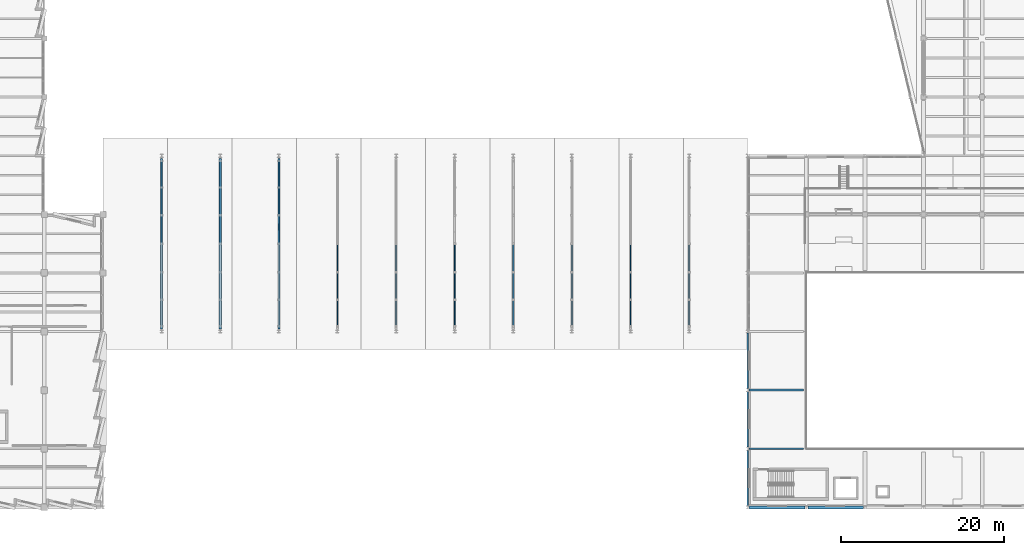
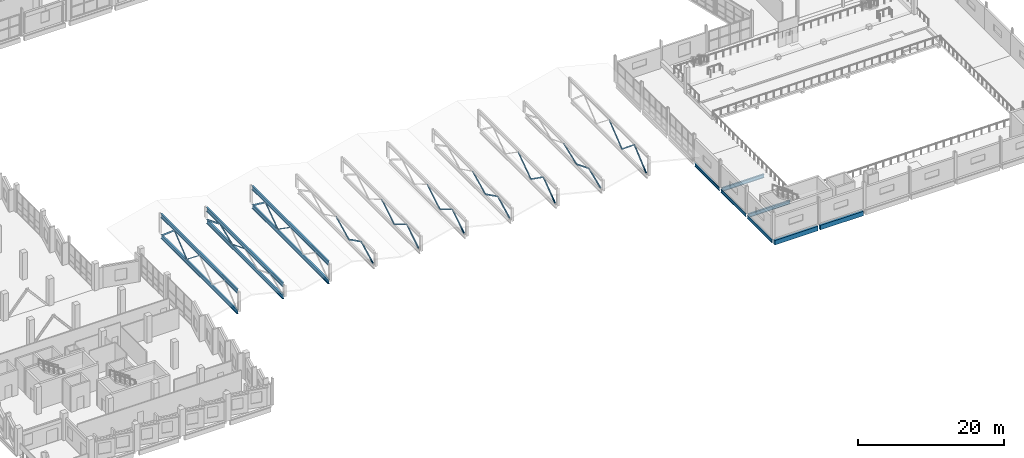
# One storey, part 36 of 123: 30 members, 13 beams.
"""IFC4 building model written with IfcOpenShell, lengths in metres."""

from ifc_helpers import new_model, si_unit, direction, frame, origin, origin_2d, place, context, subcontext, project, spatial, rectangle, hollow_rectangle, i_section, extrude, material, material_profile, profile_set, type_object, element, save


model = new_model("IFC4")

# Units and contexts
model_context = context("Model", 3, precision=1e-05, world=origin(), true_north=direction((0.0, 1.0)))
body_context = subcontext(model_context, "Body", "Model", "MODEL_VIEW")
ifc_project = project(units=[si_unit("LENGTHUNIT", "METRE"), si_unit("AREAUNIT", "SQUARE_METRE"), si_unit("VOLUMEUNIT", "CUBIC_METRE"), si_unit("PLANEANGLEUNIT", "RADIAN"), si_unit("MASSUNIT", "GRAM", prefix="KILO")], contexts=[model_context])

# Site, building, storey
site_placement = place(None, origin())
site = spatial("IfcSite", under=ifc_project, at=site_placement, CompositionType="ELEMENT")
building_placement = place(site_placement, origin())
building = spatial("IfcBuilding", under=site, at=building_placement, Name="Kalmorath City Hall", CompositionType="ELEMENT")
storey_placement = place(building_placement, frame((0.0, 0.0, 10.199951171875)))
storey = spatial("IfcBuildingStorey", under=building, at=storey_placement, Name="L02", CompositionType="ELEMENT", Elevation=10.199951171875)

# Beams
ifc_material_1 = material(Name="Precast concrete C40/50", Category="concrete")
ifc_material_profile_1 = material_profile(ifc_material_1, rectangle(XDim=0.35009765625, YDim=0.75, at=origin_2d()), Name="PC-SP-350X750")
ifc_profile_set_1 = profile_set([ifc_material_profile_1], Name="Precast concrete C40/50")
beam_type_1 = type_object("IfcBeamType", Name="Precast spandrel lintel 350x750", PredefinedType="LINTEL", material=ifc_profile_set_1)
beam_1_placement = place(storey_placement, frame((115.386962890625, 0.0, -0.658935546875), z_axis=(1.0, 0.0, 0.0), x_axis=(0.0, 1.0, 0.0)))
element("IfcBeam", 1, at=beam_1_placement, inside=storey, type_object=beam_type_1, Name="L02 girder PSB1 X17-18/1", PredefinedType="LINTEL", context=body_context, shape_type="SweptSolid", body=[
    extrude(rectangle(XDim=0.35009765625, YDim=0.75, at=origin_2d()), origin(), (0.0, 0.0, 1.0), 6.825927734375),
])
beam_2_placement = place(storey_placement, frame((122.5869140625, 0.0, -0.658935546875), z_axis=(1.0, 0.0, 0.0), x_axis=(0.0, 1.0, 0.0)))
element("IfcBeam", 2, at=beam_2_placement, inside=storey, type_object=beam_type_1, Name="L02 girder PSB1 X18-19/1", PredefinedType="LINTEL", context=body_context, shape_type="SweptSolid", body=[
    extrude(rectangle(XDim=0.35009765625, YDim=0.75, at=origin_2d()), origin(), (0.0, 0.0, 1.0), 6.826171875),
])
ifc_material_2 = material(Name="Steel ASTM A992 Grade 50", Category="steel")
ifc_material_profile_2 = material_profile(ifc_material_2, i_section(OverallWidth=0.22900390625, OverallDepth=0.612060546875, WebThickness=0.011962890625, FlangeThickness=0.01953125, FilletRadius=0.01611328125, at=origin_2d()), Name="W24X84")
ifc_profile_set_2 = profile_set([ifc_material_profile_2], Name="Steel ASTM A992 Grade 50")
beam_type_2 = type_object("IfcBeamType", Name="Steel floor girder W24X84", PredefinedType="BEAM", material=ifc_profile_set_2)
for number, where, z_axis, x_axis, name in (
    (3, (115.386962890625, 7.199951171875, -0.58984375), (1.0, 0.0, 0.0), (0.0, 1.0, 0.0), "L02 girder SG8 X17-18/2"),
    (4, (115.386962890625, 14.39990234375, -0.58984375), (1.0, 0.0, 0.0), (0.0, 1.0, 0.0), "L02 girder SG8 X17-18/3"),
):
    element("IfcBeam", number, at=place(storey_placement, frame(where, z_axis=z_axis, x_axis=x_axis)), inside=storey, type_object=beam_type_2, Name=name, PredefinedType="BEAM", context=body_context, shape_type="SweptSolid", body=[
        extrude(i_section(OverallWidth=0.22900390625, OverallDepth=0.612060546875, WebThickness=0.011962890625, FlangeThickness=0.01953125, FilletRadius=0.01611328125, at=origin_2d()), origin(), (0.0, 0.0, 1.0), 6.68798828125),
    ])
ifc_material_3 = material(Name="Steel ASTM A992 Grade 50", Category="steel")
ifc_material_profile_3 = material_profile(ifc_material_3, i_section(OverallWidth=0.25390625, OverallDepth=0.68408203125, WebThickness=0.012451171875, FlangeThickness=0.01904296875, FilletRadius=0.01904296875, at=origin_2d()), Name="W27X94")
ifc_profile_set_3 = profile_set([ifc_material_profile_3], Name="Steel ASTM A992 Grade 50")
beam_type_3 = type_object("IfcBeamType", Name="Steel folded truss tie girder W27X94", PredefinedType="BEAM", material=ifc_profile_set_3)
for number, where, z_axis, x_axis, name in (
    (5, (43.199951171875, 21.925048828125, -0.349853515625), (0.0, 1.0, 0.0), (-1.0, 0.0, 0.0), "Public Hall truss bottom tie SG6-1"),
    (6, (50.39990234375, 21.925048828125, -0.349853515625), (0.0, 1.0, 0.0), (-1.0, 0.0, 0.0), "Public Hall truss bottom tie SG6-2"),
    (7, (57.60009765625, 21.925048828125, -0.349853515625), (0.0, 1.0, 0.0), (-1.0, 0.0, 0.0), "Public Hall truss bottom tie SG6-3"),
):
    element("IfcBeam", number, at=place(storey_placement, frame(where, z_axis=z_axis, x_axis=x_axis)), inside=storey, type_object=beam_type_3, Name=name, PredefinedType="BEAM", context=body_context, shape_type="SweptSolid", body=[
        extrude(i_section(OverallWidth=0.25390625, OverallDepth=0.68408203125, WebThickness=0.012451171875, FlangeThickness=0.01904296875, FilletRadius=0.01904296875, at=origin_2d()), origin(), (0.0, 0.0, 1.0), 20.949951171875),
    ])
ifc_material_4 = material(Name="Steel ASTM A992 Grade 50", Category="steel")
ifc_material_profile_4 = material_profile(ifc_material_4, i_section(OverallWidth=0.256103515625, OverallDepth=0.693115234375, WebThickness=0.014404296875, FlangeThickness=0.023681640625, FilletRadius=0.01904296875, at=origin_2d()), Name="W27X114")
ifc_profile_set_4 = profile_set([ifc_material_profile_4], Name="Steel ASTM A992 Grade 50")
beam_type_4 = type_object("IfcBeamType", Name="Steel folded truss top chord W27X114", PredefinedType="BEAM", material=ifc_profile_set_4)
for number, where, z_axis, x_axis, name in (
    (8, (43.199951171875, 21.925048828125, 3.1201171875), (0.0, 1.0, 0.0), (-1.0, 0.0, 0.0), "Public Hall truss top chord SG5-1"),
    (9, (50.39990234375, 21.925048828125, 1.679931640625), (0.0, 1.0, 0.0), (-1.0, 0.0, 0.0), "Public Hall truss top chord SG5-2"),
    (10, (57.60009765625, 21.925048828125, 2.760009765625), (0.0, 1.0, 0.0), (-1.0, 0.0, 0.0), "Public Hall truss top chord SG5-3"),
):
    element("IfcBeam", number, at=place(storey_placement, frame(where, z_axis=z_axis, x_axis=x_axis)), inside=storey, type_object=beam_type_4, Name=name, PredefinedType="BEAM", context=body_context, shape_type="SweptSolid", body=[
        extrude(i_section(OverallWidth=0.256103515625, OverallDepth=0.693115234375, WebThickness=0.014404296875, FlangeThickness=0.023681640625, FilletRadius=0.01904296875, at=origin_2d()), origin(), (0.0, 0.0, 1.0), 20.949951171875),
    ])
ifc_material_5 = material(Name="Steel ASTM A992 Grade 50", Category="steel")
ifc_material_profile_5 = material_profile(ifc_material_5, i_section(OverallWidth=0.1650390625, OverallDepth=0.52490234375, WebThickness=0.0087890625, FlangeThickness=0.011474609375, FilletRadius=0.014892578125, at=origin_2d()), Name="W21X44")
ifc_profile_set_5 = profile_set([ifc_material_profile_5], Name="Steel ASTM A992 Grade 50")
beam_type_5 = type_object("IfcBeamType", Name="Steel spandrel beam W21X44", PredefinedType="SPANDREL", material=ifc_profile_set_5)
beam_3_placement = place(storey_placement, frame((115.199951171875, 0.18603515625, -0.54638671875), z_axis=(0.0, 1.0, 0.0), x_axis=(-1.0, 0.0, 0.0)))
element("IfcBeam", 11, at=beam_3_placement, inside=storey, type_object=beam_type_5, Name="L02 girder SB4 Y17/1-2", PredefinedType="SPANDREL", context=body_context, shape_type="SweptSolid", body=[
    extrude(i_section(OverallWidth=0.1650390625, OverallDepth=0.52490234375, WebThickness=0.0087890625, FlangeThickness=0.011474609375, FilletRadius=0.014892578125, at=origin_2d()), origin(), (0.0, 0.0, 1.0), 6.827880859375),
])
for number, where, z_axis, x_axis, name in (
    (12, (115.199951171875, 7.385986328125, -0.54638671875), (0.0, 1.0, 0.0), (-1.0, 0.0, 0.0), "L02 girder SB4 Y17/2-3"),
    (13, (115.199951171875, 14.5859375, -0.54638671875), (0.0, 1.0, 0.0), (-1.0, 0.0, 0.0), "L02 girder SB4 Y17/3-4"),
):
    element("IfcBeam", number, at=place(storey_placement, frame(where, z_axis=z_axis, x_axis=x_axis)), inside=storey, type_object=beam_type_5, Name=name, PredefinedType="SPANDREL", context=body_context, shape_type="SweptSolid", body=[
        extrude(i_section(OverallWidth=0.1650390625, OverallDepth=0.52490234375, WebThickness=0.0087890625, FlangeThickness=0.011474609375, FilletRadius=0.014892578125, at=origin_2d()), origin(), (0.0, 0.0, 1.0), 6.828125),
    ])

# Members
ifc_material_6 = material(Name="Steel ASTM A500 Grade C", Category="steel")
ifc_material_profile_6 = material_profile(ifc_material_6, hollow_rectangle(XDim=0.10205078125, YDim=0.152099609375, WallThickness=0.005859375, InnerFilletRadius=0.005859375, OuterFilletRadius=0.01171875, at=origin_2d()), Name="HSS152X102X6.4")
ifc_profile_set_6 = profile_set([ifc_material_profile_6], Name="Steel ASTM A500 Grade C")
member_type_1 = type_object("IfcMemberType", Name="Steel truss secondary chord HSS152X102X6.4", PredefinedType="CHORD", material=ifc_profile_set_6)
member_1_placement = place(storey_placement, frame((43.199951171875, 32.39990234375, 2.77294921875), z_axis=(0.0, 0.782937155165, -0.622100804582), x_axis=(-1.0, 0.0, 0.0)))
element("IfcMember", 14, at=member_1_placement, inside=storey, type_object=member_type_1, Name="Public Hall truss web CH3-1.4", PredefinedType="CHORD", context=body_context, shape_type="SweptSolid", body=[
    extrude(hollow_rectangle(XDim=0.10205078125, YDim=0.152099609375, WallThickness=0.005859375, InnerFilletRadius=0.005859375, OuterFilletRadius=0.01171875, at=origin_2d()), origin(), (0.0, 0.0, 1.0), 4.470458984375),
])
member_2_placement = place(storey_placement, frame((50.39990234375, 32.39990234375, 1.3330078125), z_axis=(0.0, 0.93379980632, -0.357795921883), x_axis=(-1.0, 0.0, 0.0)))
element("IfcMember", 15, at=member_2_placement, inside=storey, type_object=member_type_1, Name="Public Hall truss web CH3-2.4", PredefinedType="CHORD", context=body_context, shape_type="SweptSolid", body=[
    extrude(hollow_rectangle(XDim=0.10205078125, YDim=0.152099609375, WallThickness=0.005859375, InnerFilletRadius=0.005859375, OuterFilletRadius=0.01171875, at=origin_2d()), origin(), (0.0, 0.0, 1.0), 3.748046875),
])
member_3_placement = place(storey_placement, frame((57.60009765625, 32.39990234375, 2.4130859375), z_axis=(0.0, 0.82240484888, -0.568902684594), x_axis=(-1.0, 0.0, 0.0)))
element("IfcMember", 16, at=member_3_placement, inside=storey, type_object=member_type_1, Name="Public Hall truss web CH3-3.4", PredefinedType="CHORD", context=body_context, shape_type="SweptSolid", body=[
    extrude(hollow_rectangle(XDim=0.10205078125, YDim=0.152099609375, WallThickness=0.005859375, InnerFilletRadius=0.005859375, OuterFilletRadius=0.01171875, at=origin_2d()), origin(), (0.0, 0.0, 1.0), 4.255859375),
])
ifc_material_7 = material(Name="Steel ASTM A500 Grade C", Category="steel")
ifc_material_profile_7 = material_profile(ifc_material_7, hollow_rectangle(XDim=0.152099609375, YDim=0.25390625, WallThickness=0.0087890625, InnerFilletRadius=0.0087890625, OuterFilletRadius=0.017822265625, at=origin_2d()), Name="HSS254X152X9.5")
ifc_profile_set_7 = profile_set([ifc_material_profile_7], Name="Steel ASTM A500 Grade C")
member_type_2 = type_object("IfcMemberType", Name="Steel truss web chord HSS254X152X9.5", PredefinedType="CHORD", material=ifc_profile_set_7)
member_4_placement = place(storey_placement, frame((43.199951171875, 39.300048828125, 2.77294921875), z_axis=(0.0, 0.759800241146, -0.650156591564), x_axis=(-1.0, 0.0, 0.0)))
element("IfcMember", 17, at=member_4_placement, inside=storey, type_object=member_type_2, Name="Public Hall truss web CH1-1.6", PredefinedType="CHORD", context=body_context, shape_type="SweptSolid", body=[
    extrude(hollow_rectangle(XDim=0.152099609375, YDim=0.25390625, WallThickness=0.0087890625, InnerFilletRadius=0.0087890625, OuterFilletRadius=0.017822265625, at=origin_2d()), origin(), (0.0, 0.0, 1.0), 4.27734375),
])
member_5_placement = place(storey_placement, frame((50.39990234375, 39.300048828125, 1.3330078125), z_axis=(0.0, 0.924394532678, -0.381437737981), x_axis=(-1.0, 0.0, 0.0)))
element("IfcMember", 18, at=member_5_placement, inside=storey, type_object=member_type_2, Name="Public Hall truss web CH1-2.6", PredefinedType="CHORD", context=body_context, shape_type="SweptSolid", body=[
    extrude(hollow_rectangle(XDim=0.152099609375, YDim=0.25390625, WallThickness=0.0087890625, InnerFilletRadius=0.0087890625, OuterFilletRadius=0.017822265625, at=origin_2d()), origin(), (0.0, 0.0, 1.0), 3.515869140625),
])
member_6_placement = place(storey_placement, frame((57.60009765625, 39.300048828125, 2.4130859375), z_axis=(0.0, 0.801933192213, -0.597413721994), x_axis=(-1.0, 0.0, 0.0)))
element("IfcMember", 19, at=member_6_placement, inside=storey, type_object=member_type_2, Name="Public Hall truss web CH1-3.6", PredefinedType="CHORD", context=body_context, shape_type="SweptSolid", body=[
    extrude(hollow_rectangle(XDim=0.152099609375, YDim=0.25390625, WallThickness=0.0087890625, InnerFilletRadius=0.0087890625, OuterFilletRadius=0.017822265625, at=origin_2d()), origin(), (0.0, 0.0, 1.0), 4.052734375),
])
member_7_placement = place(storey_placement, frame((64.800048828125, 22.25, -0.008056640625), z_axis=(0.0, 0.885966974012, 0.463748337959), x_axis=(-1.0, 0.0, 0.0)))
element("IfcMember", 20, at=member_7_placement, inside=storey, type_object=member_type_2, Name="Public Hall truss web CH1-4.1", PredefinedType="CHORD", context=body_context, shape_type="SweptSolid", body=[
    extrude(hollow_rectangle(XDim=0.152099609375, YDim=0.25390625, WallThickness=0.0087890625, InnerFilletRadius=0.0087890625, OuterFilletRadius=0.017822265625, at=origin_2d()), origin(), (0.0, 0.0, 1.0), 3.668212890625),
])
for number, where, z_axis, x_axis, name in (
    (21, (72.0, 22.25, -0.008056640625), (0.0, 0.844501580426, 0.535553060544), (-1.0, 0.0, 0.0), "Public Hall truss web CH1-5.1"),
    (22, (79.199951171875, 22.25, -0.008056640625), (0.0, 0.844501580426, 0.535553060544), (-1.0, 0.0, 0.0), "Public Hall truss web CH1-6.1"),
):
    element("IfcMember", number, at=place(storey_placement, frame(where, z_axis=z_axis, x_axis=x_axis)), inside=storey, type_object=member_type_2, Name=name, PredefinedType="CHORD", context=body_context, shape_type="SweptSolid", body=[
        extrude(hollow_rectangle(XDim=0.152099609375, YDim=0.25390625, WallThickness=0.0087890625, InnerFilletRadius=0.0087890625, OuterFilletRadius=0.017822265625, at=origin_2d()), origin(), (0.0, 0.0, 1.0), 3.848388671875),
    ])
member_8_placement = place(storey_placement, frame((86.39990234375, 22.25, -0.008056640625), z_axis=(0.0, 0.885966974012, 0.463748337959), x_axis=(-1.0, 0.0, 0.0)))
element("IfcMember", 23, at=member_8_placement, inside=storey, type_object=member_type_2, Name="Public Hall truss web CH1-7.1", PredefinedType="CHORD", context=body_context, shape_type="SweptSolid", body=[
    extrude(hollow_rectangle(XDim=0.152099609375, YDim=0.25390625, WallThickness=0.0087890625, InnerFilletRadius=0.0087890625, OuterFilletRadius=0.017822265625, at=origin_2d()), origin(), (0.0, 0.0, 1.0), 3.668212890625),
])
member_9_placement = place(storey_placement, frame((93.60009765625, 22.25, -0.008056640625), z_axis=(0.0, 0.801933192213, 0.597413721994), x_axis=(-1.0, 0.0, 0.0)))
element("IfcMember", 24, at=member_9_placement, inside=storey, type_object=member_type_2, Name="Public Hall truss web CH1-8.1", PredefinedType="CHORD", context=body_context, shape_type="SweptSolid", body=[
    extrude(hollow_rectangle(XDim=0.152099609375, YDim=0.25390625, WallThickness=0.0087890625, InnerFilletRadius=0.0087890625, OuterFilletRadius=0.017822265625, at=origin_2d()), origin(), (0.0, 0.0, 1.0), 4.052734375),
])
member_10_placement = place(storey_placement, frame((100.800048828125, 22.25, -0.008056640625), z_axis=(0.0, 0.924394532678, 0.381437737981), x_axis=(-1.0, 0.0, 0.0)))
element("IfcMember", 25, at=member_10_placement, inside=storey, type_object=member_type_2, Name="Public Hall truss web CH1-9.1", PredefinedType="CHORD", context=body_context, shape_type="SweptSolid", body=[
    extrude(hollow_rectangle(XDim=0.152099609375, YDim=0.25390625, WallThickness=0.0087890625, InnerFilletRadius=0.0087890625, OuterFilletRadius=0.017822265625, at=origin_2d()), origin(), (0.0, 0.0, 1.0), 3.515869140625),
])
member_11_placement = place(storey_placement, frame((108.0, 22.25, -0.008056640625), z_axis=(0.0, 0.759800241146, 0.650156591564), x_axis=(-1.0, 0.0, 0.0)))
element("IfcMember", 26, at=member_11_placement, inside=storey, type_object=member_type_2, Name="Public Hall truss web CH1-10.1", PredefinedType="CHORD", context=body_context, shape_type="SweptSolid", body=[
    extrude(hollow_rectangle(XDim=0.152099609375, YDim=0.25390625, WallThickness=0.0087890625, InnerFilletRadius=0.0087890625, OuterFilletRadius=0.017822265625, at=origin_2d()), origin(), (0.0, 0.0, 1.0), 4.27734375),
])
ifc_material_8 = material(Name="Steel ASTM A500 Grade C", Category="steel")
ifc_material_profile_8 = material_profile(ifc_material_8, hollow_rectangle(XDim=0.152099609375, YDim=0.202880859375, WallThickness=0.0087890625, InnerFilletRadius=0.0087890625, OuterFilletRadius=0.017822265625, at=origin_2d()), Name="HSS203X152X9.5")
ifc_profile_set_8 = profile_set([ifc_material_profile_8], Name="Steel ASTM A500 Grade C")
member_type_3 = type_object("IfcMemberType", Name="Steel truss web diagonal HSS203X152X9.5", PredefinedType="CHORD", material=ifc_profile_set_8)
member_12_placement = place(storey_placement, frame((43.199951171875, 35.89990234375, -0.008056640625), z_axis=(0.0, 0.774061294719, 0.633110663326), x_axis=(-1.0, 0.0, 0.0)))
element("IfcMember", 27, at=member_12_placement, inside=storey, type_object=member_type_3, Name="Public Hall truss web CH2-1.5", PredefinedType="CHORD", context=body_context, shape_type="SweptSolid", body=[
    extrude(hollow_rectangle(XDim=0.152099609375, YDim=0.202880859375, WallThickness=0.0087890625, InnerFilletRadius=0.0087890625, OuterFilletRadius=0.017822265625, at=origin_2d()), origin(), (0.0, 0.0, 1.0), 4.392578125),
])
member_13_placement = place(storey_placement, frame((50.39990234375, 35.89990234375, -0.008056640625), z_axis=(0.0, 0.930257839194, 0.366906463035), x_axis=(-1.0, 0.0, 0.0)))
element("IfcMember", 28, at=member_13_placement, inside=storey, type_object=member_type_3, Name="Public Hall truss web CH2-2.5", PredefinedType="CHORD", context=body_context, shape_type="SweptSolid", body=[
    extrude(hollow_rectangle(XDim=0.152099609375, YDim=0.202880859375, WallThickness=0.0087890625, InnerFilletRadius=0.0087890625, OuterFilletRadius=0.017822265625, at=origin_2d()), origin(), (0.0, 0.0, 1.0), 3.655029296875),
])
member_14_placement = place(storey_placement, frame((57.60009765625, 35.89990234375, -0.008056640625), z_axis=(0.0, 0.814586227269, 0.580042479775), x_axis=(-1.0, 0.0, 0.0)))
element("IfcMember", 29, at=member_14_placement, inside=storey, type_object=member_type_3, Name="Public Hall truss web CH2-3.5", PredefinedType="CHORD", context=body_context, shape_type="SweptSolid", body=[
    extrude(hollow_rectangle(XDim=0.152099609375, YDim=0.202880859375, WallThickness=0.0087890625, InnerFilletRadius=0.0087890625, OuterFilletRadius=0.017822265625, at=origin_2d()), origin(), (0.0, 0.0, 1.0), 4.174072265625),
])
member_15_placement = place(storey_placement, frame((64.800048828125, 25.5, 1.693115234375), z_axis=(0.0, 0.894298718279, -0.447470448727), x_axis=(-1.0, 0.0, 0.0)))
element("IfcMember", 30, at=member_15_placement, inside=storey, type_object=member_type_3, Name="Public Hall truss web CH2-4.2", PredefinedType="CHORD", context=body_context, shape_type="SweptSolid", body=[
    extrude(hollow_rectangle(XDim=0.152099609375, YDim=0.202880859375, WallThickness=0.0087890625, InnerFilletRadius=0.0087890625, OuterFilletRadius=0.017822265625, at=origin_2d()), origin(), (0.0, 0.0, 1.0), 3.8017578125),
])
member_16_placement = place(storey_placement, frame((64.800048828125, 28.89990234375, -0.008056640625), z_axis=(0.0, 0.899389779931, 0.437147599509), x_axis=(-1.0, 0.0, 0.0)))
element("IfcMember", 31, at=member_16_placement, inside=storey, type_object=member_type_3, Name="Public Hall truss web CH2-4.3", PredefinedType="CHORD", context=body_context, shape_type="SweptSolid", body=[
    extrude(hollow_rectangle(XDim=0.152099609375, YDim=0.202880859375, WallThickness=0.0087890625, InnerFilletRadius=0.0087890625, OuterFilletRadius=0.017822265625, at=origin_2d()), origin(), (0.0, 0.0, 1.0), 3.8916015625),
])
member_17_placement = place(storey_placement, frame((72.0, 25.5, 2.052978515625), z_axis=(0.0, 0.855143390138, -0.518391533789), x_axis=(-1.0, 0.0, 0.0)))
element("IfcMember", 32, at=member_17_placement, inside=storey, type_object=member_type_3, Name="Public Hall truss web CH2-5.2", PredefinedType="CHORD", context=body_context, shape_type="SweptSolid", body=[
    extrude(hollow_rectangle(XDim=0.152099609375, YDim=0.202880859375, WallThickness=0.0087890625, InnerFilletRadius=0.0087890625, OuterFilletRadius=0.017822265625, at=origin_2d()), origin(), (0.0, 0.0, 1.0), 3.975830078125),
])
member_18_placement = place(storey_placement, frame((72.0, 28.89990234375, -0.008056640625), z_axis=(0.0, 0.861696163888, 0.507424596508), x_axis=(-1.0, 0.0, 0.0)))
element("IfcMember", 33, at=member_18_placement, inside=storey, type_object=member_type_3, Name="Public Hall truss web CH2-5.3", PredefinedType="CHORD", context=body_context, shape_type="SweptSolid", body=[
    extrude(hollow_rectangle(XDim=0.152099609375, YDim=0.202880859375, WallThickness=0.0087890625, InnerFilletRadius=0.0087890625, OuterFilletRadius=0.017822265625, at=origin_2d()), origin(), (0.0, 0.0, 1.0), 4.061767578125),
])
member_19_placement = place(storey_placement, frame((79.199951171875, 25.5, 2.052978515625), z_axis=(0.0, 0.855143390138, -0.518391533789), x_axis=(-1.0, 0.0, 0.0)))
element("IfcMember", 34, at=member_19_placement, inside=storey, type_object=member_type_3, Name="Public Hall truss web CH2-6.2", PredefinedType="CHORD", context=body_context, shape_type="SweptSolid", body=[
    extrude(hollow_rectangle(XDim=0.152099609375, YDim=0.202880859375, WallThickness=0.0087890625, InnerFilletRadius=0.0087890625, OuterFilletRadius=0.017822265625, at=origin_2d()), origin(), (0.0, 0.0, 1.0), 3.975830078125),
])
member_20_placement = place(storey_placement, frame((79.199951171875, 28.89990234375, -0.008056640625), z_axis=(0.0, 0.861696163888, 0.507424596508), x_axis=(-1.0, 0.0, 0.0)))
element("IfcMember", 35, at=member_20_placement, inside=storey, type_object=member_type_3, Name="Public Hall truss web CH2-6.3", PredefinedType="CHORD", context=body_context, shape_type="SweptSolid", body=[
    extrude(hollow_rectangle(XDim=0.152099609375, YDim=0.202880859375, WallThickness=0.0087890625, InnerFilletRadius=0.0087890625, OuterFilletRadius=0.017822265625, at=origin_2d()), origin(), (0.0, 0.0, 1.0), 4.061767578125),
])
member_21_placement = place(storey_placement, frame((86.39990234375, 25.5, 1.693115234375), z_axis=(0.0, 0.894298718279, -0.447470448727), x_axis=(-1.0, 0.0, 0.0)))
element("IfcMember", 36, at=member_21_placement, inside=storey, type_object=member_type_3, Name="Public Hall truss web CH2-7.2", PredefinedType="CHORD", context=body_context, shape_type="SweptSolid", body=[
    extrude(hollow_rectangle(XDim=0.152099609375, YDim=0.202880859375, WallThickness=0.0087890625, InnerFilletRadius=0.0087890625, OuterFilletRadius=0.017822265625, at=origin_2d()), origin(), (0.0, 0.0, 1.0), 3.8017578125),
])
member_22_placement = place(storey_placement, frame((86.39990234375, 28.89990234375, -0.008056640625), z_axis=(0.0, 0.899389779931, 0.437147599509), x_axis=(-1.0, 0.0, 0.0)))
element("IfcMember", 37, at=member_22_placement, inside=storey, type_object=member_type_3, Name="Public Hall truss web CH2-7.3", PredefinedType="CHORD", context=body_context, shape_type="SweptSolid", body=[
    extrude(hollow_rectangle(XDim=0.152099609375, YDim=0.202880859375, WallThickness=0.0087890625, InnerFilletRadius=0.0087890625, OuterFilletRadius=0.017822265625, at=origin_2d()), origin(), (0.0, 0.0, 1.0), 3.8916015625),
])
member_23_placement = place(storey_placement, frame((93.60009765625, 25.5, 2.4130859375), z_axis=(0.0, 0.814566547041, -0.580070116832), x_axis=(-1.0, 0.0, 0.0)))
element("IfcMember", 38, at=member_23_placement, inside=storey, type_object=member_type_3, Name="Public Hall truss web CH2-8.2", PredefinedType="CHORD", context=body_context, shape_type="SweptSolid", body=[
    extrude(hollow_rectangle(XDim=0.152099609375, YDim=0.202880859375, WallThickness=0.0087890625, InnerFilletRadius=0.0087890625, OuterFilletRadius=0.017822265625, at=origin_2d()), origin(), (0.0, 0.0, 1.0), 4.173828125),
])
member_24_placement = place(storey_placement, frame((93.60009765625, 28.89990234375, -0.008056640625), z_axis=(0.0, 0.82240484888, 0.568902684594), x_axis=(-1.0, 0.0, 0.0)))
element("IfcMember", 39, at=member_24_placement, inside=storey, type_object=member_type_3, Name="Public Hall truss web CH2-8.3", PredefinedType="CHORD", context=body_context, shape_type="SweptSolid", body=[
    extrude(hollow_rectangle(XDim=0.152099609375, YDim=0.202880859375, WallThickness=0.0087890625, InnerFilletRadius=0.0087890625, OuterFilletRadius=0.017822265625, at=origin_2d()), origin(), (0.0, 0.0, 1.0), 4.255859375),
])
member_25_placement = place(storey_placement, frame((100.800048828125, 25.5, 1.3330078125), z_axis=(0.0, 0.930248846352, -0.366929262747), x_axis=(-1.0, 0.0, 0.0)))
element("IfcMember", 40, at=member_25_placement, inside=storey, type_object=member_type_3, Name="Public Hall truss web CH2-9.2", PredefinedType="CHORD", context=body_context, shape_type="SweptSolid", body=[
    extrude(hollow_rectangle(XDim=0.152099609375, YDim=0.202880859375, WallThickness=0.0087890625, InnerFilletRadius=0.0087890625, OuterFilletRadius=0.017822265625, at=origin_2d()), origin(), (0.0, 0.0, 1.0), 3.65478515625),
])
member_26_placement = place(storey_placement, frame((100.800048828125, 28.89990234375, -0.008056640625), z_axis=(0.0, 0.93379980632, 0.357795921883), x_axis=(-1.0, 0.0, 0.0)))
element("IfcMember", 41, at=member_26_placement, inside=storey, type_object=member_type_3, Name="Public Hall truss web CH2-9.3", PredefinedType="CHORD", context=body_context, shape_type="SweptSolid", body=[
    extrude(hollow_rectangle(XDim=0.152099609375, YDim=0.202880859375, WallThickness=0.0087890625, InnerFilletRadius=0.0087890625, OuterFilletRadius=0.017822265625, at=origin_2d()), origin(), (0.0, 0.0, 1.0), 3.748046875),
])
member_27_placement = place(storey_placement, frame((108.0, 25.5, 2.77294921875), z_axis=(0.0, 0.774039015239, -0.633137901952), x_axis=(-1.0, 0.0, 0.0)))
element("IfcMember", 42, at=member_27_placement, inside=storey, type_object=member_type_3, Name="Public Hall truss web CH2-10.2", PredefinedType="CHORD", context=body_context, shape_type="SweptSolid", body=[
    extrude(hollow_rectangle(XDim=0.152099609375, YDim=0.202880859375, WallThickness=0.0087890625, InnerFilletRadius=0.0087890625, OuterFilletRadius=0.017822265625, at=origin_2d()), origin(), (0.0, 0.0, 1.0), 4.392333984375),
])
member_28_placement = place(storey_placement, frame((108.0, 28.89990234375, -0.008056640625), z_axis=(0.0, 0.782937155165, 0.622100804582), x_axis=(-1.0, 0.0, 0.0)))
element("IfcMember", 43, at=member_28_placement, inside=storey, type_object=member_type_3, Name="Public Hall truss web CH2-10.3", PredefinedType="CHORD", context=body_context, shape_type="SweptSolid", body=[
    extrude(hollow_rectangle(XDim=0.152099609375, YDim=0.202880859375, WallThickness=0.0087890625, InnerFilletRadius=0.0087890625, OuterFilletRadius=0.017822265625, at=origin_2d()), origin(), (0.0, 0.0, 1.0), 4.470458984375),
])

save(model, "model.ifc")
